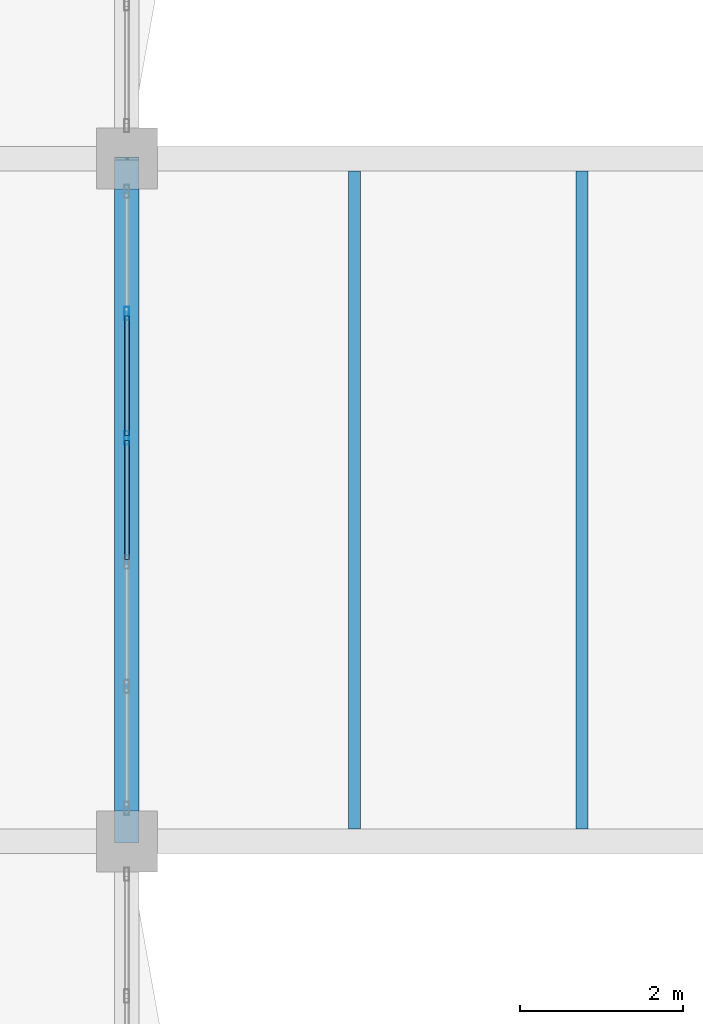
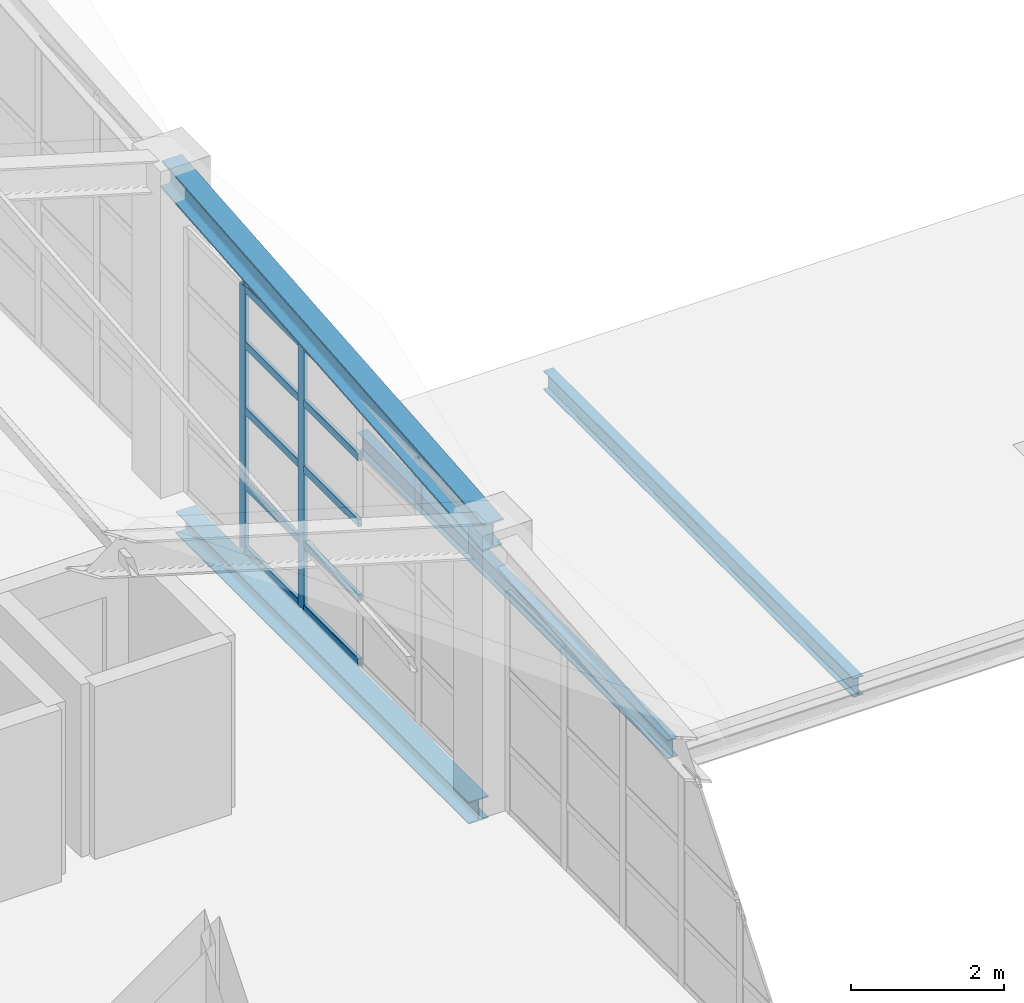
# One storey, part 41 of 95: 13 members, 3 beams, 1 element without a shape of its own.
"""IFC4 building model written with IfcOpenShell, lengths in metres."""

import ifcopenshell
import ifcopenshell.guid

model = None  # the IFC model being written
_history = None  # IfcOwnerHistory: only IFC2X3 demands one
_inside = {}  # id of a spatial element -> (the spatial element, [elements in it])
_under = {}  # id of a project, library or spatial element -> (it, [spatial elements below it])
_declared = {}  # id of a project -> (the project, [libraries it declares])
_typed = {}  # id of a type object -> (the type object, [elements of that type])
_made_of = {}  # id of a material, layer set ... -> (it, [elements and type objects made of it])


def new_model(schema):
    """Start an empty IFC model of exactly this schema.

    Asked for "IFC4X3", IfcOpenShell would pick the latest addendum, in which some entities
    have other attributes; the version numbers below select the first issue.
    IFC2X3 requires an IfcOwnerHistory on every rooted entity: one is made here for all.
    """
    global model, _history
    if schema == "IFC4X3":
        model = ifcopenshell.file(schema_version=(4, 3, 0, 0))
    else:
        model = ifcopenshell.file(schema=schema)
    _inside.clear()
    _under.clear()
    _declared.clear()
    _typed.clear()
    _made_of.clear()
    _history = None
    if model.schema == "IFC2X3":
        org = make("IfcOrganization", Name="unknown")
        user = make(
            "IfcPersonAndOrganization",
            ThePerson=make("IfcPerson", FamilyName="unknown"),
            TheOrganization=org,
        )
        app = make(
            "IfcApplication",
            ApplicationDeveloper=org,
            Version="unknown",
            ApplicationFullName="unknown",
            ApplicationIdentifier="unknown",
        )
        _history = make(
            "IfcOwnerHistory",
            OwningUser=user,
            OwningApplication=app,
            ChangeAction="ADDED",
            CreationDate=0,
        )
    return model


def make(cls, **values):
    """One entity of the class cls with the attributes given. An attribute that is None is left unset."""
    return model.create_entity(
        cls, **{name: value for name, value in values.items() if value is not None}
    )


def rooted(cls, **values):
    """An entity with a GlobalId (a new one), such as an element, a storey or a relation."""
    return make(cls, GlobalId=ifcopenshell.guid.new(), OwnerHistory=_history, **values)


def si_unit(unit_type, name, prefix=None):
    """IfcSIUnit, for example si_unit("LENGTHUNIT", "METRE", prefix="MILLI")."""
    return make("IfcSIUnit", UnitType=unit_type, Prefix=prefix, Name=name)


def assignment(units):
    """IfcUnitAssignment: the units of a project."""
    return None if units is None else make("IfcUnitAssignment", Units=units)


def point(xyz):
    """IfcCartesianPoint."""
    return None if xyz is None else make("IfcCartesianPoint", Coordinates=xyz)


def direction(xyz):
    """IfcDirection."""
    return None if xyz is None else make("IfcDirection", DirectionRatios=xyz)


def frame(location, z_axis=None, x_axis=None):
    """IfcAxis2Placement3D, a coordinate frame: its origin and axes. An axis left out is left unset."""
    return make(
        "IfcAxis2Placement3D",
        Location=point(location),
        Axis=direction(z_axis),
        RefDirection=direction(x_axis),
    )


def frame_2d(location, x_axis=None):
    """IfcAxis2Placement2D, a coordinate frame in the plane: its origin and x axis."""
    return make(
        "IfcAxis2Placement2D", Location=point(location), RefDirection=direction(x_axis)
    )


def origin():
    """The frame at (0, 0, 0) with its axes left unset."""
    return frame((0.0, 0.0, 0.0))


def origin_2d():
    """The frame at (0, 0) in the plane with its x axis left unset."""
    return frame_2d((0.0, 0.0))


def place(relative_to, where):
    """IfcLocalPlacement: puts the frame where relative to a parent placement (None: the world)."""
    return make(
        "IfcLocalPlacement", PlacementRelTo=relative_to, RelativePlacement=where
    )


def context(
    kind, dimensions, precision=None, world=None, true_north=None, identifier=None
):
    """IfcGeometricRepresentationContext, for example the 3D "Model" context."""
    return make(
        "IfcGeometricRepresentationContext",
        ContextIdentifier=identifier,
        ContextType=kind,
        CoordinateSpaceDimension=dimensions,
        Precision=precision,
        WorldCoordinateSystem=world,
        TrueNorth=true_north,
    )


def subcontext(parent, identifier, kind, view, scale=None):
    """IfcGeometricRepresentationSubContext, for example "Body" below "Model"."""
    return make(
        "IfcGeometricRepresentationSubContext",
        ContextIdentifier=identifier,
        ContextType=kind,
        ParentContext=parent,
        TargetScale=scale,
        TargetView=view,
    )


def project(units=None, contexts=None):
    """IfcProject with its units and contexts."""
    return rooted(
        "IfcProject",
        Name="project",
        RepresentationContexts=contexts,
        UnitsInContext=assignment(units),
    )


def spatial(cls, under=None, at=None, **own):
    """A site, building, storey or space (cls), placed at a placement, below another one or the project."""
    s = rooted(cls, ObjectPlacement=at, **own)
    if under is not None:
        _under.setdefault(under.id(), (under, []))[1].append(s)
    return s


def profile(cls, at=None, kind="AREA", **sizes):
    """A parametric profile (cls). Its sizes go by their IFC names, for example OverallWidth=200.0."""
    return make(cls, ProfileType=kind, Position=at, **sizes)


def hollow_rectangle(**sizes):
    """IfcRectangleHollowProfileDef."""
    return profile("IfcRectangleHollowProfileDef", **sizes)


def i_section(**sizes):
    """IfcIShapeProfileDef."""
    return profile("IfcIShapeProfileDef", **sizes)


def extrude(swept, where, along, depth):
    """IfcExtrudedAreaSolid: the profile swept, set in the frame where, extruded along a direction by depth."""
    return make(
        "IfcExtrudedAreaSolid",
        SweptArea=swept,
        Position=where,
        ExtrudedDirection=direction(along),
        Depth=depth,
    )


def shape(context_of_items, identifier, shape_type, items):
    """IfcShapeRepresentation: the items that make up one representation, for example the "Body"."""
    return make(
        "IfcShapeRepresentation",
        ContextOfItems=context_of_items,
        RepresentationIdentifier=identifier,
        RepresentationType=shape_type,
        Items=items,
    )


def material(Name=None, Category=None):
    """IfcMaterial."""
    return make("IfcMaterial", Name=Name, Category=Category)


def layer(
    of_material, thickness, ventilated=None, Name=None, Category=None, Priority=None
):
    """IfcMaterialLayer: one layer of a wall or slab, of a material (None: an air gap)."""
    return make(
        "IfcMaterialLayer",
        Material=of_material,
        LayerThickness=thickness,
        IsVentilated=ventilated,
        Name=Name,
        Category=Category,
        Priority=Priority,
    )


def layer_set(layers, Name=None):
    """IfcMaterialLayerSet."""
    return make("IfcMaterialLayerSet", MaterialLayers=layers, LayerSetName=Name)


def material_profile(
    of_material, cross_section, Name=None, Category=None, Priority=None
):
    """IfcMaterialProfile: a cross section and its material."""
    return make(
        "IfcMaterialProfile",
        Name=Name,
        Material=of_material,
        Profile=cross_section,
        Priority=Priority,
        Category=Category,
    )


def profile_set(profiles, Name=None, composite=None):
    """IfcMaterialProfileSet."""
    return make(
        "IfcMaterialProfileSet",
        Name=Name,
        MaterialProfiles=profiles,
        CompositeProfile=composite,
    )


def made_of(thing, what):
    """Note that an element or type object is made of a material, layer set ...; save() writes the relation."""
    if what is not None:
        _made_of.setdefault(what.id(), (what, []))[1].append(thing)
    return thing


def type_object(cls, material=None, **own):
    """A type object (cls), such as IfcWallType, which elements share."""
    return made_of(rooted(cls, **own), material)


def element(
    cls,
    number,
    at=None,
    inside=None,
    cuts=None,
    type_object=None,
    material=None,
    context=None,
    identifier="Body",
    shape_type=None,
    held_by="IfcProductDefinitionShape",
    body=None,
    shapes=None,
    **own,
):
    """One element of the class cls, such as IfcWall. Its Tag is "e" and its number.

    at: its placement. inside: the storey or other place that contains it. cuts: it is an
    opening in that element (IfcRelVoidsElement). A single representation is given by context,
    identifier, shape_type and body (its items); several are given by shapes. held_by: the class
    of the entity that holds the representations. save() writes the other relations.
    """
    e = rooted(cls, Tag="e%d" % number, ObjectPlacement=at, **own)
    if body is not None:
        shapes = [shape(context, identifier, shape_type, body)]
    if shapes is not None:
        e.Representation = make(held_by, Representations=shapes)
    if inside is not None:
        _inside.setdefault(inside.id(), (inside, []))[1].append(e)
    if cuts is not None:
        rooted(
            "IfcRelVoidsElement", RelatingBuildingElement=cuts, RelatedOpeningElement=e
        )
    if type_object is not None:
        _typed.setdefault(type_object.id(), (type_object, []))[1].append(e)
    return made_of(e, material)


def aggregate(whole, parts):
    """IfcRelAggregates: a whole, such as a stair, and the parts it consists of."""
    return rooted("IfcRelAggregates", RelatingObject=whole, RelatedObjects=parts)


def save(model, path):
    """Write the relations noted so far, then the file.

    IfcRelAggregates (storeys below a building ...), IfcRelContainedInSpatialStructure (elements
    in a storey), IfcRelDefinesByType, IfcRelAssociatesMaterial and IfcRelDeclares: one each for
    every whole, place, type object, material and project.
    """
    for whole, parts in _under.values():
        aggregate(whole, parts)
    for where, things in _inside.values():
        rooted(
            "IfcRelContainedInSpatialStructure",
            RelatedElements=things,
            RelatingStructure=where,
        )
    for kind, things in _typed.values():
        rooted("IfcRelDefinesByType", RelatedObjects=things, RelatingType=kind)
    for what, things in _made_of.values():
        rooted("IfcRelAssociatesMaterial", RelatedObjects=things, RelatingMaterial=what)
    for by, libraries in _declared.values():
        rooted("IfcRelDeclares", RelatingContext=by, RelatedDefinitions=libraries)
    model.write(path)


model = new_model("IFC4")

# Units and contexts
model_context = context("Model", 3, precision=1e-05, world=origin(), true_north=direction((0.0, 1.0)))
body_context = subcontext(model_context, "Body", "Model", "MODEL_VIEW")
ifc_project = project(units=[si_unit("LENGTHUNIT", "METRE"), si_unit("AREAUNIT", "SQUARE_METRE"), si_unit("VOLUMEUNIT", "CUBIC_METRE"), si_unit("PLANEANGLEUNIT", "RADIAN"), si_unit("MASSUNIT", "GRAM", prefix="KILO"), si_unit("THERMODYNAMICTEMPERATUREUNIT", "KELVIN"), si_unit("POWERUNIT", "WATT")], contexts=[model_context])

# Site, building, storey
site_placement = place(None, origin())
site = spatial("IfcSite", under=ifc_project, at=site_placement, CompositionType="ELEMENT")
building_placement = place(site_placement, origin())
building = spatial("IfcBuilding", under=site, at=building_placement, Name="Mavoryth Pier Ferry Terminal", CompositionType="ELEMENT")
storey_placement = place(building_placement, frame((0.0, 0.0, 9.60009765625)))
storey = spatial("IfcBuildingStorey", under=building, at=storey_placement, Name="L02", CompositionType="ELEMENT", Elevation=9.60009765625)

# Member
ifc_material_1 = material(Name="Steel S355J2", Category="steel")
ifc_material_profile_1 = material_profile(ifc_material_1, i_section(OverallWidth=0.300048828125, OverallDepth=0.449951171875, WebThickness=0.013916015625, FlangeThickness=0.02587890625, FilletRadius=0.027099609375, at=origin_2d()), Name="HEB 450", Category="steel")
ifc_profile_set_1 = profile_set([ifc_material_profile_1], Name="Steel S355J2 - HEB 450")
member_type_1 = type_object("IfcMemberType", Name="Chord-Eave-HEB450", PredefinedType="CHORD", material=ifc_profile_set_1)
member_1_placement = place(storey_placement, frame((33.60009765625, 89.199951171875, 4.15771484375), z_axis=(0.0, 0.996401078186, 0.084763738653), x_axis=(-1.0, 0.0, 0.0)))
element("IfcMember", 1, at=member_1_placement, inside=storey, type_object=member_type_1, Name="Steel Member MB-L02-0147", PredefinedType="CHORD", context=body_context, shape_type="SweptSolid", body=[
    extrude(i_section(OverallWidth=0.300048828125, OverallDepth=0.449951171875, WebThickness=0.013916015625, FlangeThickness=0.02587890625, FilletRadius=0.027099609375, at=origin_2d()), origin(), (0.0, 0.0, 1.0), 8.430419921875),
])

# Beams
ifc_material_profile_2 = material_profile(ifc_material_1, i_section(OverallWidth=0.14990234375, OverallDepth=0.300048828125, WebThickness=0.007080078125, FlangeThickness=0.0107421875, FilletRadius=0.014892578125, at=origin_2d()), Name="IPE 300", Category="steel")
ifc_profile_set_2 = profile_set([ifc_material_profile_2], Name="Steel S355J2 - IPE 300")
beam_type_1 = type_object("IfcBeamType", Name="Joist-Steel-IPE300", PredefinedType="JOIST", material=ifc_profile_set_2)
for number, where, z_axis, x_axis, name in (
    (2, (36.39990234375, 89.35009765625, -0.31005859375), (0.0, 1.0, 0.0), (-1.0, 0.0, 0.0), "Beam B02-SJ04-0693"),
    (3, (39.199951171875, 89.35009765625, -0.31005859375), (0.0, 1.0, 0.0), (-1.0, 0.0, 0.0), "Beam B02-SJ04-0694"),
):
    element("IfcBeam", number, at=place(storey_placement, frame(where, z_axis=z_axis, x_axis=x_axis)), inside=storey, type_object=beam_type_1, Name=name, PredefinedType="JOIST", context=body_context, shape_type="SweptSolid", body=[
        extrude(i_section(OverallWidth=0.14990234375, OverallDepth=0.300048828125, WebThickness=0.007080078125, FlangeThickness=0.0107421875, FilletRadius=0.014892578125, at=origin_2d()), origin(), (0.0, 0.0, 1.0), 8.099853515625),
    ])

# Curtain wall, members
ifc_material_2 = material(Name="Anodised Aluminium and Solar-Control Low-E Glass", Category="aluminium")
ifc_layer = layer(ifc_material_2, 0.179931640625, Name="Anodised Aluminium and Solar-Control Low-E Glass", Category="aluminium")
ifc_layer_set = layer_set([ifc_layer], Name="Anodised Aluminium and Solar-Control Low-E Glass - CW-Concourse-Mod1400")
curtain_wall_type = type_object("IfcCurtainWallType", Name="CW-Concourse-Mod1400", PredefinedType="USERDEFINED", material=ifc_layer_set)
curtain_wall_placement = place(storey_placement, origin())
curtain_wall = element("IfcCurtainWall", 4, at=curtain_wall_placement, inside=storey, type_object=curtain_wall_type, Name="Curtain Wall CW-0222-029", ObjectType="UNITISED CURTAIN WALL", PredefinedType="USERDEFINED")
ifc_material_3 = material(Name="Anodised Aluminium EN AW-6063", Category="aluminium")
ifc_material_profile_3 = material_profile(ifc_material_3, hollow_rectangle(XDim=0.06005859375, YDim=0.1650390625, WallThickness=0.00390625, InnerFilletRadius=0.00390625, OuterFilletRadius=0.008056640625, at=origin_2d()), Name="AL-MULL 165x60x4", Category="aluminium")
ifc_profile_set_3 = profile_set([ifc_material_profile_3], Name="Anodised Aluminium EN AW-6063 - AL-MULL 165x60x4")
member_type_2 = type_object("IfcMemberType", Name="Mullion-Alum-165x60", PredefinedType="MULLION", material=ifc_profile_set_3)
member_2_placement = place(storey_placement, frame((33.60009765625, 94.1650390625, 0.0), z_axis=(0.0, 0.0, 1.0), x_axis=(-1.0, 0.0, 0.0)))
member_2 = element("IfcMember", 5, at=member_2_placement, type_object=member_type_2, Name="CW01 mullion 4", PredefinedType="MULLION", context=body_context, shape_type="SweptSolid", body=[
    extrude(hollow_rectangle(XDim=0.06005859375, YDim=0.1650390625, WallThickness=0.00390625, InnerFilletRadius=0.00390625, OuterFilletRadius=0.008056640625, at=origin_2d()), origin(), (0.0, 0.0, 1.0), 4.2216796875),
])
member_3_placement = place(storey_placement, frame((33.60009765625, 95.695068359375, 0.0), z_axis=(0.0, 0.0, 1.0), x_axis=(-1.0, 0.0, 0.0)))
member_3 = element("IfcMember", 6, at=member_3_placement, type_object=member_type_2, Name="CW01 mullion 5", PredefinedType="MULLION", context=body_context, shape_type="SweptSolid", body=[
    extrude(hollow_rectangle(XDim=0.06005859375, YDim=0.1650390625, WallThickness=0.00390625, InnerFilletRadius=0.00390625, OuterFilletRadius=0.008056640625, at=origin_2d()), origin(), (0.0, 0.0, 1.0), 4.2216796875),
])

# Beam
ifc_material_profile_4 = material_profile(ifc_material_1, i_section(OverallWidth=0.300048828125, OverallDepth=0.35009765625, WebThickness=0.010009765625, FlangeThickness=0.017578125, FilletRadius=0.027099609375, at=origin_2d()), Name="HEA 360", Category="steel")
ifc_profile_set_4 = profile_set([ifc_material_profile_4], Name="Steel S355J2 - HEA 360")
beam_type_2 = type_object("IfcBeamType", Name="Spandrel-Steel-HEA360", PredefinedType="SPANDREL", material=ifc_profile_set_4)
beam_placement = place(storey_placement, frame((33.60009765625, 89.574951171875, -0.455078125), z_axis=(0.0, 1.0, 0.0), x_axis=(-1.0, 0.0, 0.0)))
element("IfcBeam", 7, at=beam_placement, inside=storey, type_object=beam_type_2, Name="Beam B02-SP03-0650", PredefinedType="SPANDREL", context=body_context, shape_type="SweptSolid", body=[
    extrude(i_section(OverallWidth=0.300048828125, OverallDepth=0.35009765625, WebThickness=0.010009765625, FlangeThickness=0.017578125, FilletRadius=0.027099609375, at=origin_2d()), origin(), (0.0, 0.0, 1.0), 7.650146484375),
])

# Member
ifc_material_profile_5 = material_profile(ifc_material_3, hollow_rectangle(XDim=0.06005859375, YDim=0.125, WallThickness=0.00390625, InnerFilletRadius=0.00390625, OuterFilletRadius=0.008056640625, at=origin_2d()), Name="AL-TRAN 125x60x4", Category="aluminium")
ifc_profile_set_5 = profile_set([ifc_material_profile_5], Name="Anodised Aluminium EN AW-6063 - AL-TRAN 125x60x4")
member_type_3 = type_object("IfcMemberType", Name="Transom-Alum-125x60", PredefinedType="USERDEFINED", material=ifc_profile_set_5)
member_4_placement = place(storey_placement, frame((33.60009765625, 92.6650390625, 0.02978515625), z_axis=(0.0, 1.0, 0.0), x_axis=(-1.0, 0.0, 0.0)))
member_4 = element("IfcMember", 8, at=member_4_placement, type_object=member_type_3, Name="CW01 transom 3.1", ObjectType="TRANSOM", PredefinedType="USERDEFINED", context=body_context, shape_type="SweptSolid", body=[
    extrude(hollow_rectangle(XDim=0.06005859375, YDim=0.125, WallThickness=0.00390625, InnerFilletRadius=0.00390625, OuterFilletRadius=0.008056640625, at=origin_2d()), origin(), (0.0, 0.0, 1.0), 1.469970703125),
])

member_5_placement = place(storey_placement, frame((33.60009765625, 92.6650390625, 1.0498046875), z_axis=(0.0, 1.0, 0.0), x_axis=(-1.0, 0.0, 0.0)))
member_5 = element("IfcMember", 9, at=member_5_placement, type_object=member_type_3, Name="CW01 transom 3.2", ObjectType="TRANSOM", PredefinedType="USERDEFINED", context=body_context, shape_type="SweptSolid", body=[
    extrude(hollow_rectangle(XDim=0.06005859375, YDim=0.125, WallThickness=0.00390625, InnerFilletRadius=0.00390625, OuterFilletRadius=0.008056640625, at=origin_2d()), origin(), (0.0, 0.0, 1.0), 1.469970703125),
])

member_6_placement = place(storey_placement, frame((33.60009765625, 92.6650390625, 2.25), z_axis=(0.0, 1.0, 0.0), x_axis=(-1.0, 0.0, 0.0)))
member_6 = element("IfcMember", 10, at=member_6_placement, type_object=member_type_3, Name="CW01 transom 3.3", ObjectType="TRANSOM", PredefinedType="USERDEFINED", context=body_context, shape_type="SweptSolid", body=[
    extrude(hollow_rectangle(XDim=0.06005859375, YDim=0.125, WallThickness=0.00390625, InnerFilletRadius=0.00390625, OuterFilletRadius=0.008056640625, at=origin_2d()), origin(), (0.0, 0.0, 1.0), 1.469970703125),
])

member_7_placement = place(storey_placement, frame((33.60009765625, 92.6650390625, 3.2998046875), z_axis=(0.0, 1.0, 0.0), x_axis=(-1.0, 0.0, 0.0)))
member_7 = element("IfcMember", 11, at=member_7_placement, type_object=member_type_3, Name="CW01 transom 3.4", ObjectType="TRANSOM", PredefinedType="USERDEFINED", context=body_context, shape_type="SweptSolid", body=[
    extrude(hollow_rectangle(XDim=0.06005859375, YDim=0.125, WallThickness=0.00390625, InnerFilletRadius=0.00390625, OuterFilletRadius=0.008056640625, at=origin_2d()), origin(), (0.0, 0.0, 1.0), 1.469970703125),
])

member_8_placement = place(storey_placement, frame((33.60009765625, 92.6650390625, 4.191650390625), z_axis=(0.0, 1.0, 0.0), x_axis=(-1.0, 0.0, 0.0)))
member_8 = element("IfcMember", 12, at=member_8_placement, type_object=member_type_3, Name="CW01 transom 3.5", ObjectType="TRANSOM", PredefinedType="USERDEFINED", context=body_context, shape_type="SweptSolid", body=[
    extrude(hollow_rectangle(XDim=0.06005859375, YDim=0.125, WallThickness=0.00390625, InnerFilletRadius=0.00390625, OuterFilletRadius=0.008056640625, at=origin_2d()), origin(), (0.0, 0.0, 1.0), 1.469970703125),
])

member_9_placement = place(storey_placement, frame((33.60009765625, 94.195068359375, 0.02978515625), z_axis=(0.0, 1.0, 0.0), x_axis=(-1.0, 0.0, 0.0)))
member_9 = element("IfcMember", 13, at=member_9_placement, type_object=member_type_3, Name="CW01 transom 4.1", ObjectType="TRANSOM", PredefinedType="USERDEFINED", context=body_context, shape_type="SweptSolid", body=[
    extrude(hollow_rectangle(XDim=0.06005859375, YDim=0.125, WallThickness=0.00390625, InnerFilletRadius=0.00390625, OuterFilletRadius=0.008056640625, at=origin_2d()), origin(), (0.0, 0.0, 1.0), 1.469970703125),
])

member_10_placement = place(storey_placement, frame((33.60009765625, 94.195068359375, 1.0498046875), z_axis=(0.0, 1.0, 0.0), x_axis=(-1.0, 0.0, 0.0)))
member_10 = element("IfcMember", 14, at=member_10_placement, type_object=member_type_3, Name="CW01 transom 4.2", ObjectType="TRANSOM", PredefinedType="USERDEFINED", context=body_context, shape_type="SweptSolid", body=[
    extrude(hollow_rectangle(XDim=0.06005859375, YDim=0.125, WallThickness=0.00390625, InnerFilletRadius=0.00390625, OuterFilletRadius=0.008056640625, at=origin_2d()), origin(), (0.0, 0.0, 1.0), 1.469970703125),
])

member_11_placement = place(storey_placement, frame((33.60009765625, 94.195068359375, 2.25), z_axis=(0.0, 1.0, 0.0), x_axis=(-1.0, 0.0, 0.0)))
member_11 = element("IfcMember", 15, at=member_11_placement, type_object=member_type_3, Name="CW01 transom 4.3", ObjectType="TRANSOM", PredefinedType="USERDEFINED", context=body_context, shape_type="SweptSolid", body=[
    extrude(hollow_rectangle(XDim=0.06005859375, YDim=0.125, WallThickness=0.00390625, InnerFilletRadius=0.00390625, OuterFilletRadius=0.008056640625, at=origin_2d()), origin(), (0.0, 0.0, 1.0), 1.469970703125),
])

member_12_placement = place(storey_placement, frame((33.60009765625, 94.195068359375, 3.2998046875), z_axis=(0.0, 1.0, 0.0), x_axis=(-1.0, 0.0, 0.0)))
member_12 = element("IfcMember", 16, at=member_12_placement, type_object=member_type_3, Name="CW01 transom 4.4", ObjectType="TRANSOM", PredefinedType="USERDEFINED", context=body_context, shape_type="SweptSolid", body=[
    extrude(hollow_rectangle(XDim=0.06005859375, YDim=0.125, WallThickness=0.00390625, InnerFilletRadius=0.00390625, OuterFilletRadius=0.008056640625, at=origin_2d()), origin(), (0.0, 0.0, 1.0), 1.469970703125),
])

member_13_placement = place(storey_placement, frame((33.60009765625, 94.195068359375, 4.191650390625), z_axis=(0.0, 1.0, 0.0), x_axis=(-1.0, 0.0, 0.0)))
member_13 = element("IfcMember", 17, at=member_13_placement, type_object=member_type_3, Name="CW01 transom 4.5", ObjectType="TRANSOM", PredefinedType="USERDEFINED", context=body_context, shape_type="SweptSolid", body=[
    extrude(hollow_rectangle(XDim=0.06005859375, YDim=0.125, WallThickness=0.00390625, InnerFilletRadius=0.00390625, OuterFilletRadius=0.008056640625, at=origin_2d()), origin(), (0.0, 0.0, 1.0), 1.469970703125),
])

aggregate(curtain_wall, [member_2, member_3, member_4, member_5, member_6, member_7, member_8, member_9, member_10, member_11, member_12, member_13])

save(model, "model.ifc")
